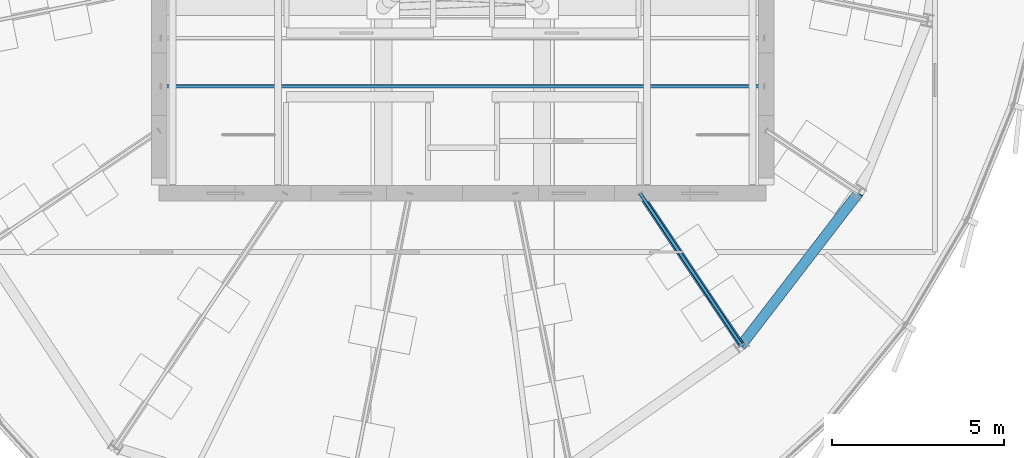
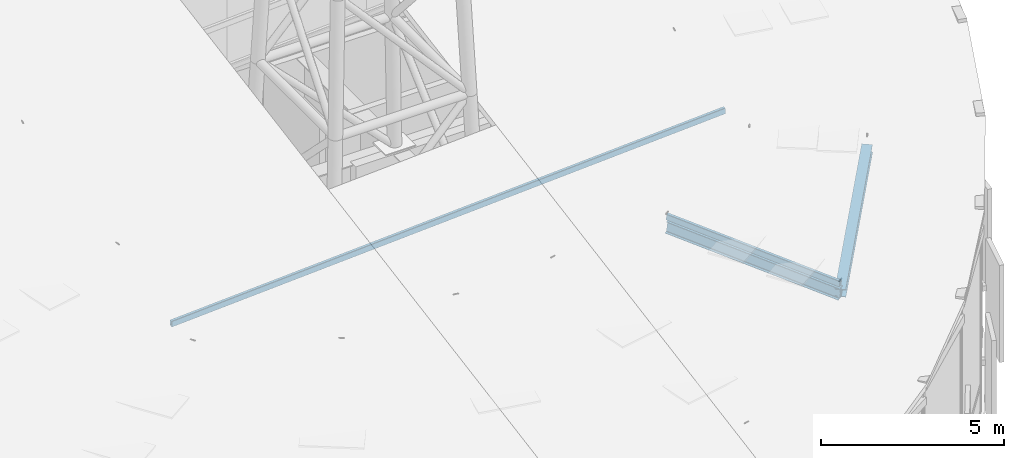
# One storey, part 8 of 36: 2 beams, 2 members.
"""IFC4 building model written with IfcOpenShell, lengths in metres."""

from ifc_helpers import new_model, si_unit, direction, frame, origin, origin_2d, place, context, subcontext, project, spatial, hollow_rectangle, i_section, extrude, source, transform, mapped, material, material_profile, profile_set, type_object, element, save


model = new_model("IFC4")

# Units and contexts
model_context = context("Model", 3, precision=1e-05, world=origin(), true_north=direction((0.0, 1.0)))
body_context = subcontext(model_context, "Body", "Model", "MODEL_VIEW")
ifc_project = project(units=[si_unit("LENGTHUNIT", "METRE"), si_unit("AREAUNIT", "SQUARE_METRE"), si_unit("VOLUMEUNIT", "CUBIC_METRE"), si_unit("PLANEANGLEUNIT", "RADIAN"), si_unit("MASSUNIT", "GRAM", prefix="KILO"), si_unit("THERMODYNAMICTEMPERATUREUNIT", "KELVIN")], contexts=[model_context])

# Site, building, storey
site_placement = place(None, origin())
site = spatial("IfcSite", under=ifc_project, at=site_placement, CompositionType="ELEMENT")
building_placement = place(site_placement, origin())
building = spatial("IfcBuilding", under=site, at=building_placement, Name="Kethvar Cultural Tower", CompositionType="ELEMENT")
storey_placement = place(building_placement, frame((0.0, 0.0, 324.300048828125)))
storey = spatial("IfcBuildingStorey", under=building, at=storey_placement, Name="L86", CompositionType="ELEMENT", Elevation=324.300048828125)

# Beams
ifc_material = material(Name="Steel S355J2", Category="steel")
ifc_material_profile_1 = material_profile(ifc_material, i_section(OverallWidth=0.179931640625, OverallDepth=0.39990234375, WebThickness=0.008544921875, FlangeThickness=0.013427734375, FilletRadius=0.02099609375, at=origin_2d()), Name="Steel S355J2 — IPE400")
ifc_profile_set_1 = profile_set([ifc_material_profile_1], Name="Steel S355J2 — IPE400")
beam_type_1 = type_object("IfcBeamType", Name="BM-IPE400", PredefinedType="BEAM", material=ifc_profile_set_1)
shared_shape_1 = source(origin(), body_context, "Body", "SweptSolid", [
    extrude(i_section(OverallWidth=0.179931640625, OverallDepth=0.39990234375, WebThickness=0.008544921875, FlangeThickness=0.013427734375, FilletRadius=0.02099609375, at=origin_2d()), origin(), (0.0, 0.0, 1.0), 5.326416015625),
])
beam_1_placement = place(storey_placement, frame((51.945068359375, 20.10009765625, 6.54931640625), z_axis=(0.551965866095, -0.826069493337, -0.113766756323), x_axis=(0.831467809556, 0.555572931011, 0.0)))
element("IfcBeam", 1, at=beam_1_placement, inside=storey, type_object=beam_type_1, Name="Crown Sloped Radial Rafter RB-14", PredefinedType="BEAM", context=body_context, shape_type="MappedRepresentation", body=[
    mapped(shared_shape_1, transform((0.0, 0.0, 0.0), scale=1.0)),
])
ifc_material_profile_2 = material_profile(ifc_material, i_section(OverallWidth=0.300048828125, OverallDepth=0.300048828125, WebThickness=0.010986328125, FlangeThickness=0.01904296875, FilletRadius=0.027099609375, at=origin_2d()), Name="Steel S355J2 — HEB300")
ifc_profile_set_2 = profile_set([ifc_material_profile_2], Name="Steel S355J2 — HEB300")
beam_type_2 = type_object("IfcBeamType", Name="BM-SP300", PredefinedType="SPANDREL", material=ifc_profile_set_2)
shared_shape_2 = source(origin(), body_context, "Body", "SweptSolid", [
    extrude(i_section(OverallWidth=0.300048828125, OverallDepth=0.300048828125, WebThickness=0.010986328125, FlangeThickness=0.01904296875, FilletRadius=0.027099609375, at=origin_2d()), origin(), (0.0, 0.0, 1.0), 5.665283203125),
])
beam_2_placement = place(storey_placement, frame((54.885009765625, 15.7001953125, 5.943359375), z_axis=(0.600517515239, 0.780952882036, 0.171730340741), x_axis=(-0.79272967843, 0.60957334008, 0.0)))
element("IfcBeam", 2, at=beam_2_placement, inside=storey, type_object=beam_type_2, Name="Crown Sloped Eave Ring Beam SP-14", PredefinedType="SPANDREL", context=body_context, shape_type="MappedRepresentation", body=[
    mapped(shared_shape_2, transform((0.0, 0.0, 0.0), scale=1.0)),
])

# Members
ifc_material_profile_3 = material_profile(ifc_material, hollow_rectangle(XDim=0.10009765625, YDim=0.199951171875, WallThickness=0.008056640625, InnerFilletRadius=0.008056640625, OuterFilletRadius=0.01611328125, at=origin_2d()), Name="Steel S355J2 — RHS200x100x8")
ifc_profile_set_3 = profile_set([ifc_material_profile_3], Name="Steel S355J2 — RHS200x100x8")
member_type_1 = type_object("IfcMemberType", Name="MB-PUR-200", PredefinedType="PURLIN", material=ifc_profile_set_3)
shared_shape_3 = source(origin(), body_context, "Body", "SweptSolid", [
    extrude(hollow_rectangle(XDim=0.10009765625, YDim=0.199951171875, WallThickness=0.008056640625, InnerFilletRadius=0.008056640625, OuterFilletRadius=0.01611328125, at=origin_2d()), origin(), (0.0, 0.0, 1.0), 17.52880859375),
])
member_1_placement = place(storey_placement, frame((38.050048828125, 23.199951171875, 6.270263671875), z_axis=(0.998351441866, 0.0, 0.057396851171), x_axis=(0.0, 1.0, 0.0)))
element("IfcMember", 3, at=member_1_placement, inside=storey, type_object=member_type_1, Name="Crown Roof Purlin PR-07", PredefinedType="PURLIN", context=body_context, shape_type="MappedRepresentation", body=[
    mapped(shared_shape_3, transform((0.0, 0.0, 0.0), scale=1.0)),
])
ifc_material_profile_4 = material_profile(ifc_material, hollow_rectangle(XDim=0.10009765625, YDim=0.199951171875, WallThickness=0.008056640625, InnerFilletRadius=0.008056640625, OuterFilletRadius=0.01611328125, at=origin_2d()), Name="Steel S355J2 — RHS200x100x8")
ifc_profile_set_4 = profile_set([ifc_material_profile_4], Name="Steel S355J2 — RHS200x100x8")
member_type_2 = type_object("IfcMemberType", Name="MB-GLAZ-200", PredefinedType="PURLIN", material=ifc_profile_set_4)
shared_shape_4 = source(origin(), body_context, "Body", "SweptSolid", [
    extrude(hollow_rectangle(XDim=0.10009765625, YDim=0.199951171875, WallThickness=0.008056640625, InnerFilletRadius=0.008056640625, OuterFilletRadius=0.01611328125, at=origin_2d()), origin(), (0.0, 0.0, 1.0), 5.326416015625),
])
member_2_placement = place(storey_placement, frame((51.945068359375, 20.10009765625, 6.869384765625), z_axis=(0.551962987204, -0.826065184802, -0.113811999437), x_axis=(0.831467809556, 0.555572931011, 0.0)))
element("IfcMember", 4, at=member_2_placement, inside=storey, type_object=member_type_2, Name="Sloped Crown Skylight Glazing Mullion Bar GB-14", PredefinedType="PURLIN", context=body_context, shape_type="MappedRepresentation", body=[
    mapped(shared_shape_4, transform((0.0, 0.0, 0.0), scale=1.0)),
])

save(model, "model.ifc")
